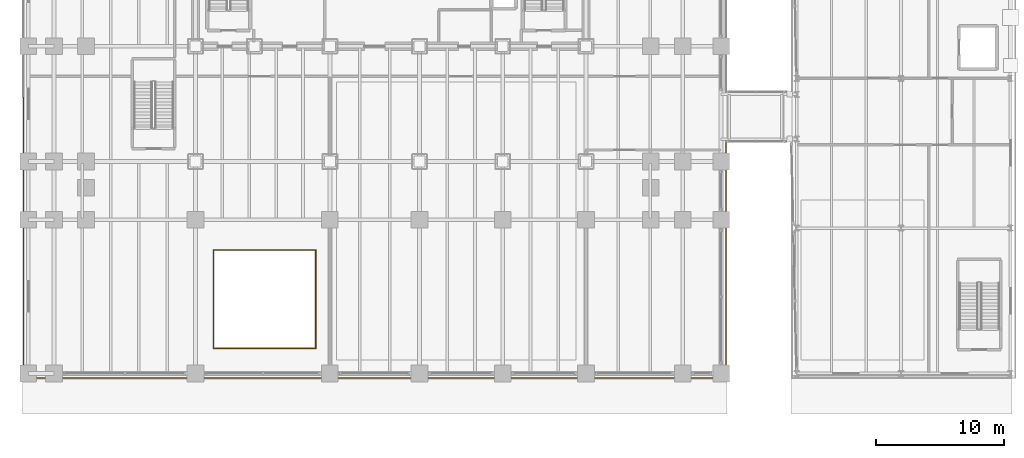
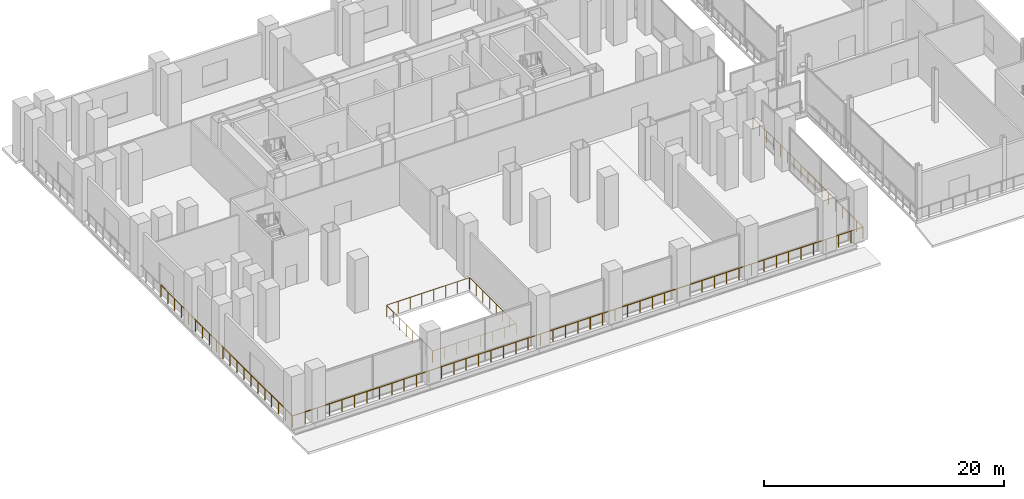
# One storey, part 24 of 32: 3 railings.
"""IFC4 building model written with IfcOpenShell, lengths in metres."""

from ifc_helpers import new_model, si_unit, direction, frame, origin, origin_2d, place, context, subcontext, project, spatial, circle, extrude, material, layer, layer_set, type_object, element, save


model = new_model("IFC4")

# Units and contexts
model_context = context("Model", 3, precision=1e-05, world=origin(), true_north=direction((0.0, 1.0)))
body_context = subcontext(model_context, "Body", "Model", "MODEL_VIEW")
ifc_project = project(units=[si_unit("LENGTHUNIT", "METRE"), si_unit("AREAUNIT", "SQUARE_METRE"), si_unit("VOLUMEUNIT", "CUBIC_METRE"), si_unit("PLANEANGLEUNIT", "RADIAN"), si_unit("MASSUNIT", "GRAM", prefix="KILO")], contexts=[model_context])

# Site, building, storey
site_placement = place(None, origin())
site = spatial("IfcSite", under=ifc_project, at=site_placement, CompositionType="ELEMENT")
building_placement = place(site_placement, origin())
building = spatial("IfcBuilding", under=site, at=building_placement, Name="Noeulbin Bourse Tower", CompositionType="ELEMENT")
storey_placement = place(building_placement, frame((0.0, 0.0, 5.800048828125)))
storey = spatial("IfcBuildingStorey", under=building, at=storey_placement, Name="L02", CompositionType="ELEMENT", Elevation=5.800048828125)

# Railings
ifc_material_1 = material(Name="Stainless Steel 316 Post and Rail", Category="steel")
ifc_layer_1 = layer(ifc_material_1, 0.06005859375)
ifc_layer_set_1 = layer_set([ifc_layer_1], Name="Stainless Steel 316 Post and Rail")
railing_type_1 = type_object("IfcRailingType", Name="RLG-TER-1200", PredefinedType="GUARDRAIL", material=ifc_layer_set_1)
railing_1_placement = place(storey_placement, frame((54.919921875, 21.449951171875, 0.0)))
element("IfcRailing", 1, at=railing_1_placement, inside=storey, type_object=railing_type_1, Name="Podium Perimeter Edge Guard L02-1", PredefinedType="GUARDRAIL", context=body_context, shape_type="SweptSolid", body=[
    extrude(circle(Radius=0.02392578125, at=origin_2d()), frame((0.0, 0.0, 1.17578125), z_axis=(0.0, -1.0, 0.0), x_axis=(1.0, 0.0, 0.0)), (0.0, 0.0, 1.0), 18.369873046875),
    extrude(circle(Radius=0.02392578125, at=origin_2d()), frame((0.0, -18.369873046875, 1.17578125), z_axis=(-1.0, 0.0, 0.0), x_axis=(0.0, -1.0, 0.0)), (0.0, 0.0, 1.0), 54.83984375),
    extrude(circle(Radius=0.02392578125, at=origin_2d()), frame((-54.83984375, -18.369873046875, 1.17578125), z_axis=(0.0, 1.0, 0.0), x_axis=(-1.0, 0.0, 0.0)), (0.0, 0.0, 1.0), 21.919921875),
    extrude(circle(Radius=0.02099609375, at=origin_2d()), origin(), (0.0, 0.0, 1.0), 1.15185546875),
    extrude(circle(Radius=0.02099609375, at=origin_2d()), frame((0.0, -1.148193359375, 0.0)), (0.0, 0.0, 1.0), 1.15185546875),
    extrude(circle(Radius=0.02099609375, at=origin_2d()), frame((0.0, -2.296142578125, 0.0)), (0.0, 0.0, 1.0), 1.15185546875),
    extrude(circle(Radius=0.02099609375, at=origin_2d()), frame((0.0, -3.4443359375, 0.0)), (0.0, 0.0, 1.0), 1.15185546875),
    extrude(circle(Radius=0.02099609375, at=origin_2d()), frame((0.0, -4.592529296875, 0.0)), (0.0, 0.0, 1.0), 1.15185546875),
    extrude(circle(Radius=0.02099609375, at=origin_2d()), frame((0.0, -5.740478515625, 0.0)), (0.0, 0.0, 1.0), 1.15185546875),
    extrude(circle(Radius=0.02099609375, at=origin_2d()), frame((0.0, -6.888671875, 0.0)), (0.0, 0.0, 1.0), 1.15185546875),
    extrude(circle(Radius=0.02099609375, at=origin_2d()), frame((0.0, -8.036865234375, 0.0)), (0.0, 0.0, 1.0), 1.15185546875),
    extrude(circle(Radius=0.02099609375, at=origin_2d()), frame((0.0, -9.18505859375, 0.0)), (0.0, 0.0, 1.0), 1.15185546875),
    extrude(circle(Radius=0.02099609375, at=origin_2d()), frame((0.0, -10.3330078125, 0.0)), (0.0, 0.0, 1.0), 1.15185546875),
    extrude(circle(Radius=0.02099609375, at=origin_2d()), frame((0.0, -11.481201171875, 0.0)), (0.0, 0.0, 1.0), 1.15185546875),
    extrude(circle(Radius=0.02099609375, at=origin_2d()), frame((0.0, -12.62939453125, 0.0)), (0.0, 0.0, 1.0), 1.15185546875),
    extrude(circle(Radius=0.02099609375, at=origin_2d()), frame((0.0, -13.77734375, 0.0)), (0.0, 0.0, 1.0), 1.15185546875),
    extrude(circle(Radius=0.02099609375, at=origin_2d()), frame((0.0, -14.925537109375, 0.0)), (0.0, 0.0, 1.0), 1.15185546875),
    extrude(circle(Radius=0.02099609375, at=origin_2d()), frame((0.0, -16.07373046875, 0.0)), (0.0, 0.0, 1.0), 1.15185546875),
    extrude(circle(Radius=0.02099609375, at=origin_2d()), frame((0.0, -17.2216796875, 0.0)), (0.0, 0.0, 1.0), 1.15185546875),
    extrude(circle(Radius=0.02099609375, at=origin_2d()), frame((0.0, -18.369873046875, 0.0)), (0.0, 0.0, 1.0), 1.15185546875),
    extrude(circle(Radius=0.02099609375, at=origin_2d()), frame((-1.192138671875, -18.369873046875, 0.0)), (0.0, 0.0, 1.0), 1.15185546875),
    extrude(circle(Radius=0.02099609375, at=origin_2d()), frame((-2.38427734375, -18.369873046875, 0.0)), (0.0, 0.0, 1.0), 1.15185546875),
    extrude(circle(Radius=0.02099609375, at=origin_2d()), frame((-3.576416015625, -18.369873046875, 0.0)), (0.0, 0.0, 1.0), 1.15185546875),
    extrude(circle(Radius=0.02099609375, at=origin_2d()), frame((-4.768798828125, -18.369873046875, 0.0)), (0.0, 0.0, 1.0), 1.15185546875),
    extrude(circle(Radius=0.02099609375, at=origin_2d()), frame((-5.9609375, -18.369873046875, 0.0)), (0.0, 0.0, 1.0), 1.15185546875),
    extrude(circle(Radius=0.02099609375, at=origin_2d()), frame((-7.153076171875, -18.369873046875, 0.0)), (0.0, 0.0, 1.0), 1.15185546875),
    extrude(circle(Radius=0.02099609375, at=origin_2d()), frame((-8.34521484375, -18.369873046875, 0.0)), (0.0, 0.0, 1.0), 1.15185546875),
    extrude(circle(Radius=0.02099609375, at=origin_2d()), frame((-9.537353515625, -18.369873046875, 0.0)), (0.0, 0.0, 1.0), 1.15185546875),
    extrude(circle(Radius=0.02099609375, at=origin_2d()), frame((-10.7294921875, -18.369873046875, 0.0)), (0.0, 0.0, 1.0), 1.15185546875),
    extrude(circle(Radius=0.02099609375, at=origin_2d()), frame((-11.921630859375, -18.369873046875, 0.0)), (0.0, 0.0, 1.0), 1.15185546875),
    extrude(circle(Radius=0.02099609375, at=origin_2d()), frame((-13.11376953125, -18.369873046875, 0.0)), (0.0, 0.0, 1.0), 1.15185546875),
    extrude(circle(Radius=0.02099609375, at=origin_2d()), frame((-14.30615234375, -18.369873046875, 0.0)), (0.0, 0.0, 1.0), 1.15185546875),
    extrude(circle(Radius=0.02099609375, at=origin_2d()), frame((-15.498291015625, -18.369873046875, 0.0)), (0.0, 0.0, 1.0), 1.15185546875),
    extrude(circle(Radius=0.02099609375, at=origin_2d()), frame((-16.6904296875, -18.369873046875, 0.0)), (0.0, 0.0, 1.0), 1.15185546875),
    extrude(circle(Radius=0.02099609375, at=origin_2d()), frame((-17.882568359375, -18.369873046875, 0.0)), (0.0, 0.0, 1.0), 1.15185546875),
    extrude(circle(Radius=0.02099609375, at=origin_2d()), frame((-19.07470703125, -18.369873046875, 0.0)), (0.0, 0.0, 1.0), 1.15185546875),
    extrude(circle(Radius=0.02099609375, at=origin_2d()), frame((-20.266845703125, -18.369873046875, 0.0)), (0.0, 0.0, 1.0), 1.15185546875),
    extrude(circle(Radius=0.02099609375, at=origin_2d()), frame((-21.458984375, -18.369873046875, 0.0)), (0.0, 0.0, 1.0), 1.15185546875),
    extrude(circle(Radius=0.02099609375, at=origin_2d()), frame((-22.651123046875, -18.369873046875, 0.0)), (0.0, 0.0, 1.0), 1.15185546875),
    extrude(circle(Radius=0.02099609375, at=origin_2d()), frame((-23.843505859375, -18.369873046875, 0.0)), (0.0, 0.0, 1.0), 1.15185546875),
    extrude(circle(Radius=0.02099609375, at=origin_2d()), frame((-25.03564453125, -18.369873046875, 0.0)), (0.0, 0.0, 1.0), 1.15185546875),
    extrude(circle(Radius=0.02099609375, at=origin_2d()), frame((-26.227783203125, -18.369873046875, 0.0)), (0.0, 0.0, 1.0), 1.15185546875),
    extrude(circle(Radius=0.02099609375, at=origin_2d()), frame((-27.419921875, -18.369873046875, 0.0)), (0.0, 0.0, 1.0), 1.15185546875),
    extrude(circle(Radius=0.02099609375, at=origin_2d()), frame((-28.612060546875, -18.369873046875, 0.0)), (0.0, 0.0, 1.0), 1.15185546875),
    extrude(circle(Radius=0.02099609375, at=origin_2d()), frame((-29.80419921875, -18.369873046875, 0.0)), (0.0, 0.0, 1.0), 1.15185546875),
    extrude(circle(Radius=0.02099609375, at=origin_2d()), frame((-30.996337890625, -18.369873046875, 0.0)), (0.0, 0.0, 1.0), 1.15185546875),
    extrude(circle(Radius=0.02099609375, at=origin_2d()), frame((-32.188720703125, -18.369873046875, 0.0)), (0.0, 0.0, 1.0), 1.15185546875),
    extrude(circle(Radius=0.02099609375, at=origin_2d()), frame((-33.380859375, -18.369873046875, 0.0)), (0.0, 0.0, 1.0), 1.15185546875),
    extrude(circle(Radius=0.02099609375, at=origin_2d()), frame((-34.572998046875, -18.369873046875, 0.0)), (0.0, 0.0, 1.0), 1.15185546875),
    extrude(circle(Radius=0.02099609375, at=origin_2d()), frame((-35.76513671875, -18.369873046875, 0.0)), (0.0, 0.0, 1.0), 1.15185546875),
    extrude(circle(Radius=0.02099609375, at=origin_2d()), frame((-36.957275390625, -18.369873046875, 0.0)), (0.0, 0.0, 1.0), 1.15185546875),
    extrude(circle(Radius=0.02099609375, at=origin_2d()), frame((-38.1494140625, -18.369873046875, 0.0)), (0.0, 0.0, 1.0), 1.15185546875),
    extrude(circle(Radius=0.02099609375, at=origin_2d()), frame((-39.341552734375, -18.369873046875, 0.0)), (0.0, 0.0, 1.0), 1.15185546875),
    extrude(circle(Radius=0.02099609375, at=origin_2d()), frame((-40.53369140625, -18.369873046875, 0.0)), (0.0, 0.0, 1.0), 1.15185546875),
    extrude(circle(Radius=0.02099609375, at=origin_2d()), frame((-41.72607421875, -18.369873046875, 0.0)), (0.0, 0.0, 1.0), 1.15185546875),
    extrude(circle(Radius=0.02099609375, at=origin_2d()), frame((-42.918212890625, -18.369873046875, 0.0)), (0.0, 0.0, 1.0), 1.15185546875),
    extrude(circle(Radius=0.02099609375, at=origin_2d()), frame((-44.1103515625, -18.369873046875, 0.0)), (0.0, 0.0, 1.0), 1.15185546875),
    extrude(circle(Radius=0.02099609375, at=origin_2d()), frame((-45.302490234375, -18.369873046875, 0.0)), (0.0, 0.0, 1.0), 1.15185546875),
    extrude(circle(Radius=0.02099609375, at=origin_2d()), frame((-46.49462890625, -18.369873046875, 0.0)), (0.0, 0.0, 1.0), 1.15185546875),
    extrude(circle(Radius=0.02099609375, at=origin_2d()), frame((-47.686767578125, -18.369873046875, 0.0)), (0.0, 0.0, 1.0), 1.15185546875),
    extrude(circle(Radius=0.02099609375, at=origin_2d()), frame((-48.87890625, -18.369873046875, 0.0)), (0.0, 0.0, 1.0), 1.15185546875),
    extrude(circle(Radius=0.02099609375, at=origin_2d()), frame((-50.071044921875, -18.369873046875, 0.0)), (0.0, 0.0, 1.0), 1.15185546875),
    extrude(circle(Radius=0.02099609375, at=origin_2d()), frame((-51.263427734375, -18.369873046875, 0.0)), (0.0, 0.0, 1.0), 1.15185546875),
    extrude(circle(Radius=0.02099609375, at=origin_2d()), frame((-52.45556640625, -18.369873046875, 0.0)), (0.0, 0.0, 1.0), 1.15185546875),
    extrude(circle(Radius=0.02099609375, at=origin_2d()), frame((-53.647705078125, -18.369873046875, 0.0)), (0.0, 0.0, 1.0), 1.15185546875),
    extrude(circle(Radius=0.02099609375, at=origin_2d()), frame((-54.83984375, -18.369873046875, 0.0)), (0.0, 0.0, 1.0), 1.15185546875),
    extrude(circle(Radius=0.02099609375, at=origin_2d()), frame((-54.83984375, -17.21630859375, 0.0)), (0.0, 0.0, 1.0), 1.15185546875),
    extrude(circle(Radius=0.02099609375, at=origin_2d()), frame((-54.83984375, -16.0625, 0.0)), (0.0, 0.0, 1.0), 1.15185546875),
    extrude(circle(Radius=0.02099609375, at=origin_2d()), frame((-54.83984375, -14.908935546875, 0.0)), (0.0, 0.0, 1.0), 1.15185546875),
    extrude(circle(Radius=0.02099609375, at=origin_2d()), frame((-54.83984375, -13.755126953125, 0.0)), (0.0, 0.0, 1.0), 1.15185546875),
    extrude(circle(Radius=0.02099609375, at=origin_2d()), frame((-54.83984375, -12.6015625, 0.0)), (0.0, 0.0, 1.0), 1.15185546875),
    extrude(circle(Radius=0.02099609375, at=origin_2d()), frame((-54.83984375, -11.44775390625, 0.0)), (0.0, 0.0, 1.0), 1.15185546875),
    extrude(circle(Radius=0.02099609375, at=origin_2d()), frame((-54.83984375, -10.294189453125, 0.0)), (0.0, 0.0, 1.0), 1.15185546875),
    extrude(circle(Radius=0.02099609375, at=origin_2d()), frame((-54.83984375, -9.140380859375, 0.0)), (0.0, 0.0, 1.0), 1.15185546875),
    extrude(circle(Radius=0.02099609375, at=origin_2d()), frame((-54.83984375, -7.98681640625, 0.0)), (0.0, 0.0, 1.0), 1.15185546875),
    extrude(circle(Radius=0.02099609375, at=origin_2d()), frame((-54.83984375, -6.8330078125, 0.0)), (0.0, 0.0, 1.0), 1.15185546875),
    extrude(circle(Radius=0.02099609375, at=origin_2d()), frame((-54.83984375, -5.679443359375, 0.0)), (0.0, 0.0, 1.0), 1.15185546875),
    extrude(circle(Radius=0.02099609375, at=origin_2d()), frame((-54.83984375, -4.525634765625, 0.0)), (0.0, 0.0, 1.0), 1.15185546875),
    extrude(circle(Radius=0.02099609375, at=origin_2d()), frame((-54.83984375, -3.3720703125, 0.0)), (0.0, 0.0, 1.0), 1.15185546875),
    extrude(circle(Radius=0.02099609375, at=origin_2d()), frame((-54.83984375, -2.21826171875, 0.0)), (0.0, 0.0, 1.0), 1.15185546875),
    extrude(circle(Radius=0.02099609375, at=origin_2d()), frame((-54.83984375, -1.064697265625, 0.0)), (0.0, 0.0, 1.0), 1.15185546875),
    extrude(circle(Radius=0.02099609375, at=origin_2d()), frame((-54.83984375, 0.089111328125, 0.0)), (0.0, 0.0, 1.0), 1.15185546875),
    extrude(circle(Radius=0.02099609375, at=origin_2d()), frame((-54.83984375, 1.24267578125, 0.0)), (0.0, 0.0, 1.0), 1.15185546875),
    extrude(circle(Radius=0.02099609375, at=origin_2d()), frame((-54.83984375, 2.396484375, 0.0)), (0.0, 0.0, 1.0), 1.15185546875),
    extrude(circle(Radius=0.02099609375, at=origin_2d()), frame((-54.83984375, 3.550048828125, 0.0)), (0.0, 0.0, 1.0), 1.15185546875),
])
ifc_material_2 = material(Name="Laminated Glass and Stainless Steel 316", Category="steel")
ifc_layer_2 = layer(ifc_material_2, 0.06005859375)
ifc_layer_set_2 = layer_set([ifc_layer_2], Name="Laminated Glass and Stainless Steel 316")
railing_type_2 = type_object("IfcRailingType", Name="RLG-VOID-1200", PredefinedType="BALUSTRADE", material=ifc_layer_set_2)
railing_2_placement = place(storey_placement, frame((14.89990234375, 5.39990234375, 0.0)))
element("IfcRailing", 2, at=railing_2_placement, inside=storey, type_object=railing_type_2, Name="Concourse Void Balustrade GD-V12-L02A", PredefinedType="BALUSTRADE", context=body_context, shape_type="SweptSolid", body=[
    extrude(circle(Radius=0.02392578125, at=origin_2d()), frame((0.0, 0.0, 1.17578125), z_axis=(1.0, 0.0, 0.0), x_axis=(0.0, 1.0, 0.0)), (0.0, 0.0, 1.0), 8.0),
    extrude(circle(Radius=0.02392578125, at=origin_2d()), frame((8.0, 0.0, 1.17578125), z_axis=(0.0, 1.0, 0.0), x_axis=(-1.0, 0.0, 0.0)), (0.0, 0.0, 1.0), 7.7001953125),
    extrude(circle(Radius=0.02099609375, at=origin_2d()), origin(), (0.0, 0.0, 1.0), 1.15185546875),
    extrude(circle(Radius=0.02099609375, at=origin_2d()), frame((1.142822265625, 0.0, 0.0)), (0.0, 0.0, 1.0), 1.15185546875),
    extrude(circle(Radius=0.02099609375, at=origin_2d()), frame((2.28564453125, 0.0, 0.0)), (0.0, 0.0, 1.0), 1.15185546875),
    extrude(circle(Radius=0.02099609375, at=origin_2d()), frame((3.428466796875, 0.0, 0.0)), (0.0, 0.0, 1.0), 1.15185546875),
    extrude(circle(Radius=0.02099609375, at=origin_2d()), frame((4.571533203125, 0.0, 0.0)), (0.0, 0.0, 1.0), 1.15185546875),
    extrude(circle(Radius=0.02099609375, at=origin_2d()), frame((5.71435546875, 0.0, 0.0)), (0.0, 0.0, 1.0), 1.15185546875),
    extrude(circle(Radius=0.02099609375, at=origin_2d()), frame((6.857177734375, 0.0, 0.0)), (0.0, 0.0, 1.0), 1.15185546875),
    extrude(circle(Radius=0.02099609375, at=origin_2d()), frame((8.0, 0.0, 0.0)), (0.0, 0.0, 1.0), 1.15185546875),
    extrude(circle(Radius=0.02099609375, at=origin_2d()), frame((8.0, 1.10009765625, 0.0)), (0.0, 0.0, 1.0), 1.15185546875),
    extrude(circle(Radius=0.02099609375, at=origin_2d()), frame((8.0, 2.199951171875, 0.0)), (0.0, 0.0, 1.0), 1.15185546875),
    extrude(circle(Radius=0.02099609375, at=origin_2d()), frame((8.0, 3.300048828125, 0.0)), (0.0, 0.0, 1.0), 1.15185546875),
    extrude(circle(Radius=0.02099609375, at=origin_2d()), frame((8.0, 4.400146484375, 0.0)), (0.0, 0.0, 1.0), 1.15185546875),
    extrude(circle(Radius=0.02099609375, at=origin_2d()), frame((8.0, 5.500244140625, 0.0)), (0.0, 0.0, 1.0), 1.15185546875),
    extrude(circle(Radius=0.02099609375, at=origin_2d()), frame((8.0, 6.60009765625, 0.0)), (0.0, 0.0, 1.0), 1.15185546875),
    extrude(circle(Radius=0.02099609375, at=origin_2d()), frame((8.0, 7.7001953125, 0.0)), (0.0, 0.0, 1.0), 1.15185546875),
])
railing_3_placement = place(storey_placement, frame((22.840087890625, 13.10009765625, 0.0)))
element("IfcRailing", 3, at=railing_3_placement, inside=storey, type_object=railing_type_2, Name="Concourse Void Balustrade GD-V12-L02B", PredefinedType="BALUSTRADE", context=body_context, shape_type="SweptSolid", body=[
    extrude(circle(Radius=0.02392578125, at=origin_2d()), frame((0.0, 0.0, 1.17578125), z_axis=(-1.0, 0.0, 0.0), x_axis=(0.0, -1.0, 0.0)), (0.0, 0.0, 1.0), 7.940185546875),
    extrude(circle(Radius=0.02392578125, at=origin_2d()), frame((-7.940185546875, 0.0, 1.17578125), z_axis=(0.0, -1.0, 0.0), x_axis=(1.0, 0.0, 0.0)), (0.0, 0.0, 1.0), 7.64013671875),
    extrude(circle(Radius=0.02099609375, at=origin_2d()), origin(), (0.0, 0.0, 1.0), 1.15185546875),
    extrude(circle(Radius=0.02099609375, at=origin_2d()), frame((-1.13427734375, 0.0, 0.0)), (0.0, 0.0, 1.0), 1.15185546875),
    extrude(circle(Radius=0.02099609375, at=origin_2d()), frame((-2.2685546875, 0.0, 0.0)), (0.0, 0.0, 1.0), 1.15185546875),
    extrude(circle(Radius=0.02099609375, at=origin_2d()), frame((-3.40283203125, 0.0, 0.0)), (0.0, 0.0, 1.0), 1.15185546875),
    extrude(circle(Radius=0.02099609375, at=origin_2d()), frame((-4.537353515625, 0.0, 0.0)), (0.0, 0.0, 1.0), 1.15185546875),
    extrude(circle(Radius=0.02099609375, at=origin_2d()), frame((-5.671630859375, 0.0, 0.0)), (0.0, 0.0, 1.0), 1.15185546875),
    extrude(circle(Radius=0.02099609375, at=origin_2d()), frame((-6.805908203125, 0.0, 0.0)), (0.0, 0.0, 1.0), 1.15185546875),
    extrude(circle(Radius=0.02099609375, at=origin_2d()), frame((-7.940185546875, 0.0, 0.0)), (0.0, 0.0, 1.0), 1.15185546875),
    extrude(circle(Radius=0.02099609375, at=origin_2d()), frame((-7.940185546875, -1.091552734375, 0.0)), (0.0, 0.0, 1.0), 1.15185546875),
    extrude(circle(Radius=0.02099609375, at=origin_2d()), frame((-7.940185546875, -2.182861328125, 0.0)), (0.0, 0.0, 1.0), 1.15185546875),
    extrude(circle(Radius=0.02099609375, at=origin_2d()), frame((-7.940185546875, -3.2744140625, 0.0)), (0.0, 0.0, 1.0), 1.15185546875),
    extrude(circle(Radius=0.02099609375, at=origin_2d()), frame((-7.940185546875, -4.36572265625, 0.0)), (0.0, 0.0, 1.0), 1.15185546875),
    extrude(circle(Radius=0.02099609375, at=origin_2d()), frame((-7.940185546875, -5.457275390625, 0.0)), (0.0, 0.0, 1.0), 1.15185546875),
    extrude(circle(Radius=0.02099609375, at=origin_2d()), frame((-7.940185546875, -6.548583984375, 0.0)), (0.0, 0.0, 1.0), 1.15185546875),
    extrude(circle(Radius=0.02099609375, at=origin_2d()), frame((-7.940185546875, -7.64013671875, 0.0)), (0.0, 0.0, 1.0), 1.15185546875),
])

save(model, "model.ifc")
